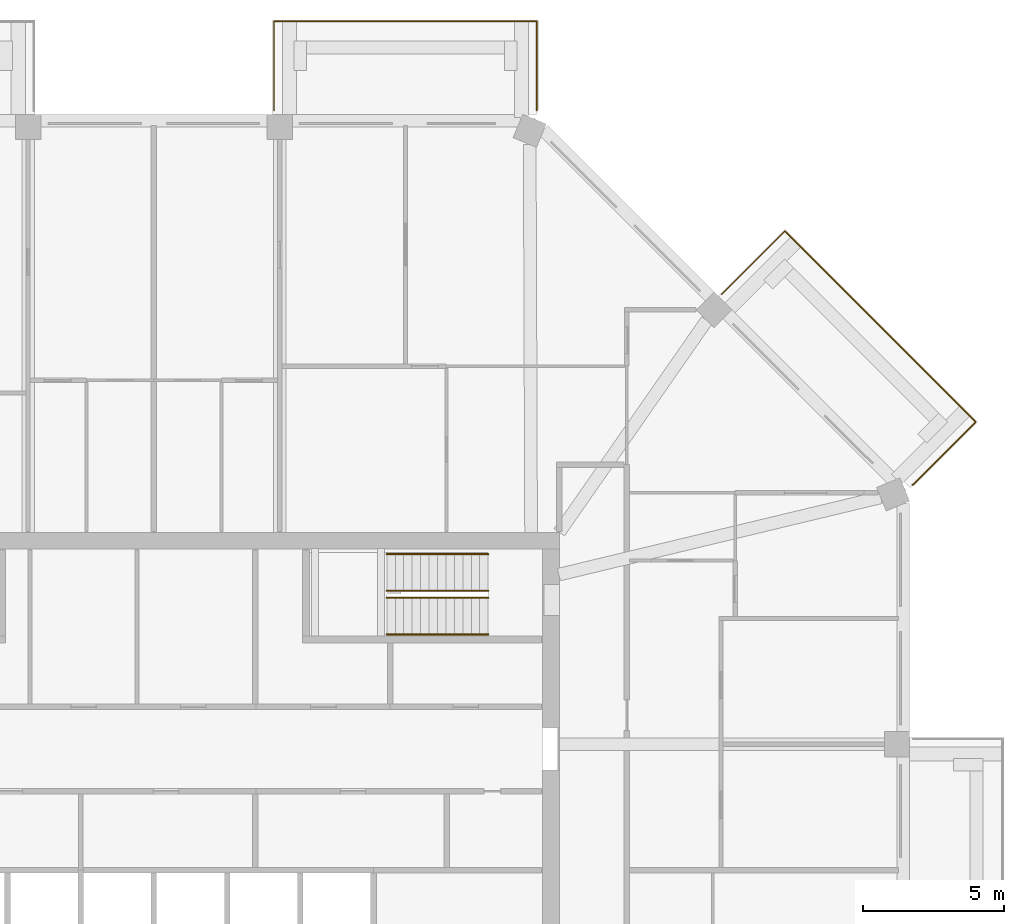
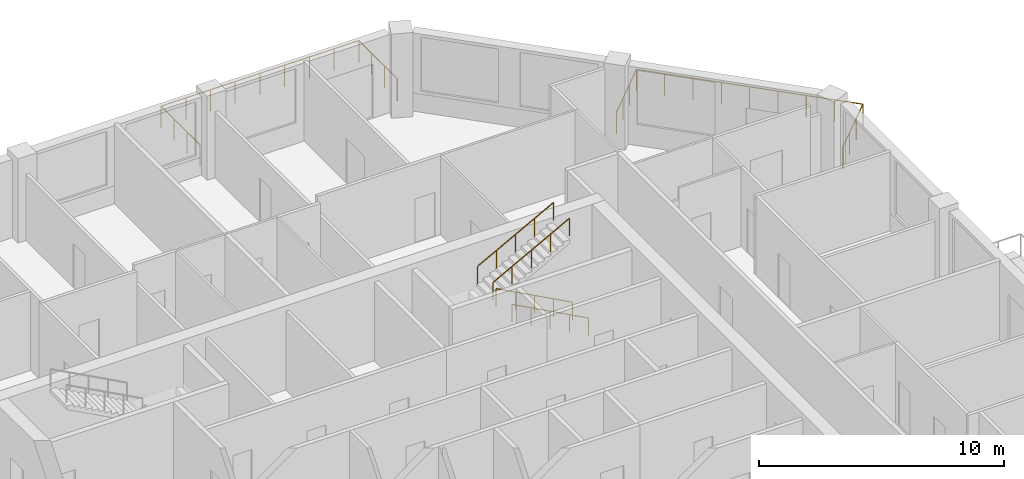
# One storey, part 12 of 12: 6 railings.
"""IFC4 building model written with IfcOpenShell, lengths in metres."""

from ifc_helpers import new_model, si_unit, direction, frame, origin, origin_2d, place, context, subcontext, project, spatial, circle, extrude, material, constituent, constituent_set, type_object, element, save


model = new_model("IFC4")

# Units and contexts
model_context = context("Model", 3, precision=1e-05, world=origin(), true_north=direction((0.0, 1.0)))
body_context = subcontext(model_context, "Body", "Model", "MODEL_VIEW")
ifc_project = project(units=[si_unit("LENGTHUNIT", "METRE"), si_unit("AREAUNIT", "SQUARE_METRE"), si_unit("VOLUMEUNIT", "CUBIC_METRE"), si_unit("PLANEANGLEUNIT", "RADIAN"), si_unit("MASSUNIT", "GRAM", prefix="KILO")], contexts=[model_context])

# Site, building, storey
site_placement = place(None, origin())
site = spatial("IfcSite", under=ifc_project, at=site_placement, CompositionType="ELEMENT")
building_placement = place(site_placement, origin())
building = spatial("IfcBuilding", under=site, at=building_placement, Name="Msitu Wima Residences", CompositionType="ELEMENT")
storey_placement = place(building_placement, frame((0.0, 0.0, 251.699951171875)))
storey = spatial("IfcBuildingStorey", under=building, at=storey_placement, Name="L58", CompositionType="ELEMENT", Elevation=251.699951171875)

# Railings
ifc_material_1 = material(Name="Steel S355", Category="steel")
ifc_constituent_1 = constituent(ifc_material_1, Name="Steel S355")
ifc_material_2 = material(Name="Weathering patina")
ifc_constituent_2 = constituent(ifc_material_2, Name="Weathering patina")
ifc_constituent_set_1 = constituent_set(constituents=[ifc_constituent_1, ifc_constituent_2], Name="Steel S355")
railing_type_1 = type_object("IfcRailingType", Name="Balcony guard GR1100", PredefinedType="GUARDRAIL", material=ifc_constituent_set_1)
railing_1_placement = place(storey_placement, frame((20.171630859375, 20.45458984375, 0.0)))
element("IfcRailing", 1, at=railing_1_placement, inside=storey, type_object=railing_type_1, Name="Balcony guard NE0 L58", PredefinedType="GUARDRAIL", context=body_context, shape_type="SweptSolid", body=[
    extrude(circle(Radius=0.02392578125, at=origin_2d()), frame((0.0, 0.0, 1.076171875), z_axis=(0.707106781187, 0.707106781187, 0.0), x_axis=(-0.707106781187, 0.707106781187, 0.0)), (0.0, 0.0, 1.0), 3.169921875),
    extrude(circle(Radius=0.02392578125, at=origin_2d()), frame((2.241455078125, 2.241455078125, 1.076171875), z_axis=(0.707106781187, -0.707106781187, 0.0), x_axis=(0.707106781187, 0.707106781187, 0.0)), (0.0, 0.0, 1.0), 9.58837890625),
    extrude(circle(Radius=0.02392578125, at=origin_2d()), frame((9.021484375, -4.53857421875, 1.076171875), z_axis=(-0.707106781187, -0.707106781187, 0.0), x_axis=(0.707106781187, -0.707106781187, 0.0)), (0.0, 0.0, 1.0), 3.136474609375),
    extrude(circle(Radius=0.02392578125, at=origin_2d()), frame((6.8037109375, -6.75634765625, 1.076171875), z_axis=(-0.92426142649, -0.38176015442, 0.0), x_axis=(0.38176015442, -0.92426142649, 0.0)), (0.0, 0.0, 1.0), 0.036376953125),
    extrude(circle(Radius=0.02099609375, at=origin_2d()), origin(), (0.0, 0.0, 1.0), 1.052001953125),
    extrude(circle(Radius=0.02099609375, at=origin_2d()), frame((0.7470703125, 0.7470703125, 0.0)), (0.0, 0.0, 1.0), 1.052001953125),
    extrude(circle(Radius=0.02099609375, at=origin_2d()), frame((1.494384765625, 1.494384765625, 0.0)), (0.0, 0.0, 1.0), 1.052001953125),
    extrude(circle(Radius=0.02099609375, at=origin_2d()), frame((2.241455078125, 2.241455078125, 0.0)), (0.0, 0.0, 1.0), 1.052001953125),
    extrude(circle(Radius=0.02099609375, at=origin_2d()), frame((3.0888671875, 1.39404296875, 0.0)), (0.0, 0.0, 1.0), 1.052001953125),
    extrude(circle(Radius=0.02099609375, at=origin_2d()), frame((3.9365234375, 0.54638671875, 0.0)), (0.0, 0.0, 1.0), 1.052001953125),
    extrude(circle(Radius=0.02099609375, at=origin_2d()), frame((4.783935546875, -0.301025390625, 0.0)), (0.0, 0.0, 1.0), 1.052001953125),
    extrude(circle(Radius=0.02099609375, at=origin_2d()), frame((5.63134765625, -1.1484375, 0.0)), (0.0, 0.0, 1.0), 1.052001953125),
    extrude(circle(Radius=0.02099609375, at=origin_2d()), frame((6.47900390625, -1.99609375, 0.0)), (0.0, 0.0, 1.0), 1.052001953125),
    extrude(circle(Radius=0.02099609375, at=origin_2d()), frame((7.326416015625, -2.843505859375, 0.0)), (0.0, 0.0, 1.0), 1.052001953125),
    extrude(circle(Radius=0.02099609375, at=origin_2d()), frame((8.174072265625, -3.691162109375, 0.0)), (0.0, 0.0, 1.0), 1.052001953125),
    extrude(circle(Radius=0.02099609375, at=origin_2d()), frame((9.021484375, -4.53857421875, 0.0)), (0.0, 0.0, 1.0), 1.052001953125),
    extrude(circle(Radius=0.02099609375, at=origin_2d()), frame((8.2822265625, -5.27783203125, 0.0)), (0.0, 0.0, 1.0), 1.052001953125),
    extrude(circle(Radius=0.02099609375, at=origin_2d()), frame((7.54296875, -6.01708984375, 0.0)), (0.0, 0.0, 1.0), 1.052001953125),
    extrude(circle(Radius=0.02099609375, at=origin_2d()), frame((6.8037109375, -6.75634765625, 0.0)), (0.0, 0.0, 1.0), 1.052001953125),
    extrude(circle(Radius=0.02099609375, at=origin_2d()), frame((6.77001953125, -6.770263671875, 0.0)), (0.0, 0.0, 1.0), 1.052001953125),
])
railing_2_placement = place(storey_placement, frame((4.2685546875, 26.97998046875, 0.0)))
element("IfcRailing", 2, at=railing_2_placement, inside=storey, type_object=railing_type_1, Name="Balcony guard N0 L58", PredefinedType="GUARDRAIL", context=body_context, shape_type="SweptSolid", body=[
    extrude(circle(Radius=0.02392578125, at=origin_2d()), frame((0.0, 0.0, 1.076171875), z_axis=(0.0, 1.0, 0.0), x_axis=(-1.0, 0.0, 0.0)), (0.0, 0.0, 1.0), 3.169921875),
    extrude(circle(Radius=0.02392578125, at=origin_2d()), frame((0.0, 3.169921875, 1.076171875), z_axis=(1.0, 0.0, 0.0), x_axis=(0.0, 1.0, 0.0)), (0.0, 0.0, 1.0), 9.33740234375),
    extrude(circle(Radius=0.02392578125, at=origin_2d()), frame((9.33740234375, 3.169921875, 1.076171875), z_axis=(0.0, -1.0, 0.0), x_axis=(1.0, 0.0, 0.0)), (0.0, 0.0, 1.0), 3.136474609375),
    extrude(circle(Radius=0.02392578125, at=origin_2d()), frame((9.33740234375, 0.033447265625, 1.076171875), z_axis=(-0.384136806859, -0.923276184907, 0.0), x_axis=(0.923276184907, -0.384136806859, 0.0)), (0.0, 0.0, 1.0), 0.0361328125),
    extrude(circle(Radius=0.02099609375, at=origin_2d()), origin(), (0.0, 0.0, 1.0), 1.052001953125),
    extrude(circle(Radius=0.02099609375, at=origin_2d()), frame((0.0, 1.056640625, 0.0)), (0.0, 0.0, 1.0), 1.052001953125),
    extrude(circle(Radius=0.02099609375, at=origin_2d()), frame((0.0, 2.11328125, 0.0)), (0.0, 0.0, 1.0), 1.052001953125),
    extrude(circle(Radius=0.02099609375, at=origin_2d()), frame((0.0, 3.169921875, 0.0)), (0.0, 0.0, 1.0), 1.052001953125),
    extrude(circle(Radius=0.02099609375, at=origin_2d()), frame((1.167236328125, 3.169921875, 0.0)), (0.0, 0.0, 1.0), 1.052001953125),
    extrude(circle(Radius=0.02099609375, at=origin_2d()), frame((2.33447265625, 3.169921875, 0.0)), (0.0, 0.0, 1.0), 1.052001953125),
    extrude(circle(Radius=0.02099609375, at=origin_2d()), frame((3.50146484375, 3.169921875, 0.0)), (0.0, 0.0, 1.0), 1.052001953125),
    extrude(circle(Radius=0.02099609375, at=origin_2d()), frame((4.668701171875, 3.169921875, 0.0)), (0.0, 0.0, 1.0), 1.052001953125),
    extrude(circle(Radius=0.02099609375, at=origin_2d()), frame((5.8359375, 3.169921875, 0.0)), (0.0, 0.0, 1.0), 1.052001953125),
    extrude(circle(Radius=0.02099609375, at=origin_2d()), frame((7.0029296875, 3.169921875, 0.0)), (0.0, 0.0, 1.0), 1.052001953125),
    extrude(circle(Radius=0.02099609375, at=origin_2d()), frame((8.170166015625, 3.169921875, 0.0)), (0.0, 0.0, 1.0), 1.052001953125),
    extrude(circle(Radius=0.02099609375, at=origin_2d()), frame((9.33740234375, 3.169921875, 0.0)), (0.0, 0.0, 1.0), 1.052001953125),
    extrude(circle(Radius=0.02099609375, at=origin_2d()), frame((9.33740234375, 2.12451171875, 0.0)), (0.0, 0.0, 1.0), 1.052001953125),
    extrude(circle(Radius=0.02099609375, at=origin_2d()), frame((9.33740234375, 1.078857421875, 0.0)), (0.0, 0.0, 1.0), 1.052001953125),
    extrude(circle(Radius=0.02099609375, at=origin_2d()), frame((9.33740234375, 0.033447265625, 0.0)), (0.0, 0.0, 1.0), 1.052001953125),
    extrude(circle(Radius=0.02099609375, at=origin_2d()), frame((9.323486328125, 0.0, 0.0)), (0.0, 0.0, 1.0), 1.052001953125),
])
ifc_constituent_3 = constituent(ifc_material_1, Name="Steel S355")
ifc_material_3 = material(Name="Black powder coating")
ifc_constituent_4 = constituent(ifc_material_3, Name="Black powder coating")
ifc_constituent_set_2 = constituent_set(constituents=[ifc_constituent_3, ifc_constituent_4], Name="Steel S355")
railing_type_2 = type_object("IfcRailingType", Name="Stair handrail HR1", PredefinedType="HANDRAIL", material=ifc_constituent_set_2)
for number, where, name in (
    (3, (11.875, 8.375, 0.16162109375), "Stair 3 handrail"),
    (4, (11.875, 9.675048828125, 0.16162109375), "Stair 3 handrail"),
):
    element("IfcRailing", number, at=place(storey_placement, frame(where)), inside=storey, type_object=railing_type_2, Name=name, PredefinedType="HANDRAIL", context=body_context, shape_type="SweptSolid", body=[
        extrude(circle(Radius=0.02392578125, at=origin_2d()), frame((0.0, 0.0, 0.8759765625), z_axis=(-0.880474934443, 0.0, 0.474092701714), x_axis=(0.0, -1.0, 0.0)), (0.0, 0.0, 1.0), 4.0888671875),
        extrude(circle(Radius=0.02099609375, at=origin_2d()), origin(), (0.0, 0.0, 1.0), 0.851806640625),
        extrude(circle(Radius=0.02099609375, at=origin_2d()), frame((-0.89990234375, 0.0, 0.484619140625)), (0.0, 0.0, 1.0), 0.851806640625),
        extrude(circle(Radius=0.02099609375, at=origin_2d()), frame((-1.800048828125, 0.0, 0.96923828125)), (0.0, 0.0, 1.0), 0.851806640625),
        extrude(circle(Radius=0.02099609375, at=origin_2d()), frame((-2.7001953125, 0.0, 1.453857421875)), (0.0, 0.0, 1.0), 0.851806640625),
        extrude(circle(Radius=0.02099609375, at=origin_2d()), frame((-3.60009765625, 0.0, 1.9384765625)), (0.0, 0.0, 1.0), 0.851806640625),
    ])
for number, where, name in (
    (5, (8.27490234375, 9.925048828125, 2.261474609375), "Stair 3 handrail"),
    (6, (8.27490234375, 11.22509765625, 2.261474609375), "Stair 3 handrail"),
):
    element("IfcRailing", number, at=place(storey_placement, frame(where)), inside=storey, type_object=railing_type_2, Name=name, PredefinedType="HANDRAIL", context=body_context, shape_type="SweptSolid", body=[
        extrude(circle(Radius=0.02392578125, at=origin_2d()), frame((0.0, 0.0, 0.8759765625), z_axis=(0.880474934443, 0.0, 0.474092701714), x_axis=(0.0, 1.0, 0.0)), (0.0, 0.0, 1.0), 4.0888671875),
        extrude(circle(Radius=0.02099609375, at=origin_2d()), origin(), (0.0, 0.0, 1.0), 0.851806640625),
        extrude(circle(Radius=0.02099609375, at=origin_2d()), frame((0.89990234375, 0.0, 0.484619140625)), (0.0, 0.0, 1.0), 0.851806640625),
        extrude(circle(Radius=0.02099609375, at=origin_2d()), frame((1.800048828125, 0.0, 0.96923828125)), (0.0, 0.0, 1.0), 0.851806640625),
        extrude(circle(Radius=0.02099609375, at=origin_2d()), frame((2.7001953125, 0.0, 1.453857421875)), (0.0, 0.0, 1.0), 0.851806640625),
        extrude(circle(Radius=0.02099609375, at=origin_2d()), frame((3.60009765625, 0.0, 1.9384765625)), (0.0, 0.0, 1.0), 0.851806640625),
    ])

save(model, "model.ifc")
